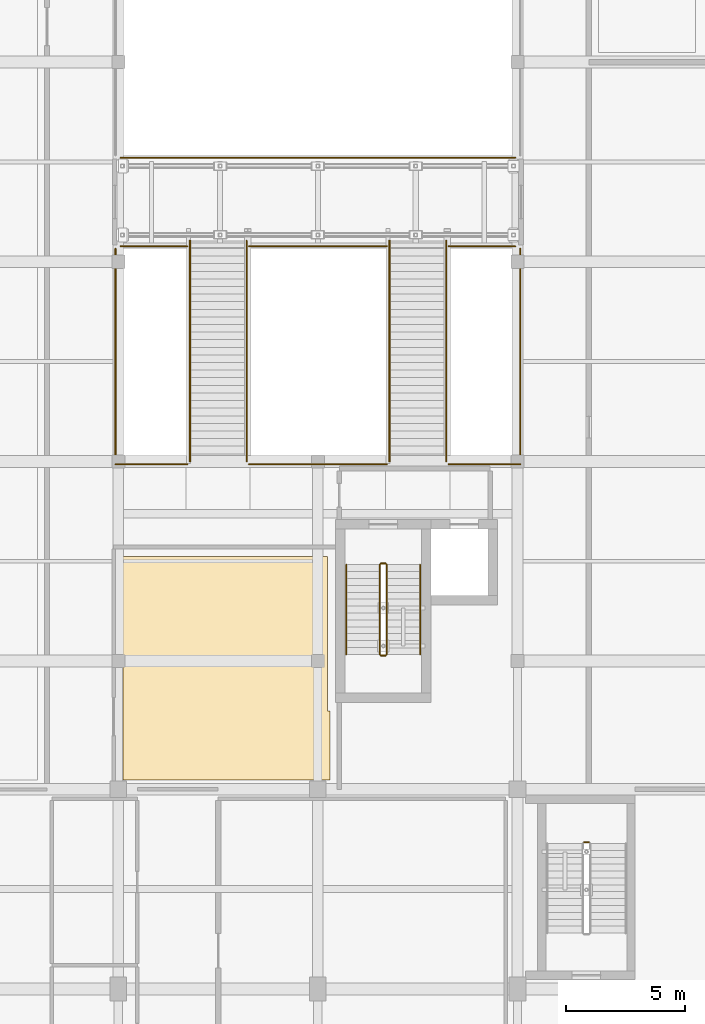
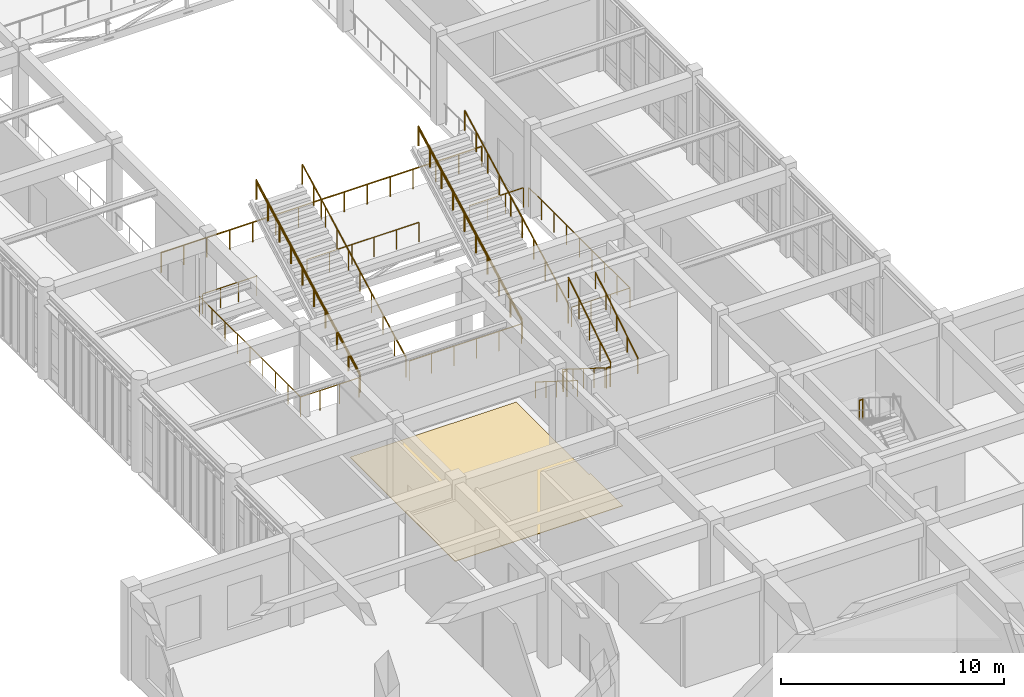
# One storey, part 102 of 106: 22 railings, 1 covering.
"""IFC4 building model written with IfcOpenShell, lengths in metres."""

from ifc_helpers import new_model, si_unit, direction, frame, origin, origin_2d, place, context, subcontext, project, spatial, polyline, circle, outline, extrude, material, layer, layer_set, type_object, element, save


model = new_model("IFC4")

# Units and contexts
model_context = context("Model", 3, precision=1e-05, world=origin(), true_north=direction((0.0, 1.0)))
body_context = subcontext(model_context, "Body", "Model", "MODEL_VIEW")
ifc_project = project(units=[si_unit("LENGTHUNIT", "METRE"), si_unit("AREAUNIT", "SQUARE_METRE"), si_unit("VOLUMEUNIT", "CUBIC_METRE"), si_unit("PLANEANGLEUNIT", "RADIAN"), si_unit("MASSUNIT", "GRAM", prefix="KILO")], contexts=[model_context])

# Site, building, storey
site_placement = place(None, origin())
site = spatial("IfcSite", under=ifc_project, at=site_placement, CompositionType="ELEMENT")
building_placement = place(site_placement, origin())
building = spatial("IfcBuilding", under=site, at=building_placement, Name="Krzemoval Escarpment Law Courts", CompositionType="ELEMENT")
storey_placement = place(building_placement, frame((0.0, 0.0, 5.10009765625)))
storey = spatial("IfcBuildingStorey", under=building, at=storey_placement, Name="L01", CompositionType="ELEMENT", Elevation=5.10009765625)

# Covering
ifc_material_1 = material(Name="Honed Silesian Granite Stone Flooring", Category="masonry")
ifc_layer = layer(ifc_material_1, 0.030029296875)
ifc_layer_set = layer_set([ifc_layer], Name="Honed Silesian Granite Stone Flooring")
covering_type = type_object("IfcCoveringType", Name="COV-FLR-STN30", PredefinedType="FLOORING", material=ifc_layer_set)
covering_placement = place(storey_placement, origin())
element("IfcCovering", 1, at=covering_placement, inside=storey, type_object=covering_type, Name="Stone Floor Finish FLR-L01-16", PredefinedType="FLOORING", context=body_context, shape_type="SweptSolid", body=[
    extrude(outline(polyline([(25.699951171875, 35.800048828125), (17.0, 35.800048828125), (17.0, 45.199951171875), (25.60009765625, 45.199951171875), (25.60009765625, 38.699951171875), (25.699951171875, 38.699951171875), (25.699951171875, 35.800048828125)])), origin(), (0.0, 0.0, 1.0), 0.02978515625),
])

# Railings
ifc_material_2 = material(Name="Stainless Steel Grade 316L and Laminated Safety Glass Guard", Category="steel")
railing_type_1 = type_object("IfcRailingType", Name="RL-BAL-1100", PredefinedType="BALUSTRADE", material=ifc_material_2)
railing_1_placement = place(storey_placement, frame((16.679931640625, 49.080078125, 0.0)))
element("IfcRailing", 2, at=railing_1_placement, inside=storey, type_object=railing_type_1, Name="Atrium Void Balustrade VG-L01-052", PredefinedType="BALUSTRADE", context=body_context, shape_type="SweptSolid", body=[
    extrude(circle(Radius=0.02392578125, at=origin_2d()), frame((0.0, 0.0, 1.076171875), z_axis=(1.0, 0.0, 0.0), x_axis=(0.0, 1.0, 0.0)), (0.0, 0.0, 1.0), 3.02001953125),
    extrude(circle(Radius=0.02099609375, at=origin_2d()), origin(), (0.0, 0.0, 1.0), 1.052001953125),
    extrude(circle(Radius=0.02099609375, at=origin_2d()), frame((1.006591796875, 0.0, 0.0)), (0.0, 0.0, 1.0), 1.052001953125),
    extrude(circle(Radius=0.02099609375, at=origin_2d()), frame((2.013427734375, 0.0, 0.0)), (0.0, 0.0, 1.0), 1.052001953125),
    extrude(circle(Radius=0.02099609375, at=origin_2d()), frame((3.02001953125, 0.0, 0.0)), (0.0, 0.0, 1.0), 1.052001953125),
])
railing_2_placement = place(storey_placement, frame((22.300048828125, 49.080078125, 0.0)))
element("IfcRailing", 3, at=railing_2_placement, inside=storey, type_object=railing_type_1, Name="Atrium Void Balustrade VG-L01-053", PredefinedType="BALUSTRADE", context=body_context, shape_type="SweptSolid", body=[
    extrude(circle(Radius=0.02392578125, at=origin_2d()), frame((0.0, 0.0, 1.076171875), z_axis=(1.0, 0.0, 0.0), x_axis=(0.0, 1.0, 0.0)), (0.0, 0.0, 1.0), 5.800048828125),
    extrude(circle(Radius=0.02099609375, at=origin_2d()), origin(), (0.0, 0.0, 1.0), 1.052001953125),
    extrude(circle(Radius=0.02099609375, at=origin_2d()), frame((1.159912109375, 0.0, 0.0)), (0.0, 0.0, 1.0), 1.052001953125),
    extrude(circle(Radius=0.02099609375, at=origin_2d()), frame((2.320068359375, 0.0, 0.0)), (0.0, 0.0, 1.0), 1.052001953125),
    extrude(circle(Radius=0.02099609375, at=origin_2d()), frame((3.47998046875, 0.0, 0.0)), (0.0, 0.0, 1.0), 1.052001953125),
    extrude(circle(Radius=0.02099609375, at=origin_2d()), frame((4.64013671875, 0.0, 0.0)), (0.0, 0.0, 1.0), 1.052001953125),
    extrude(circle(Radius=0.02099609375, at=origin_2d()), frame((5.800048828125, 0.0, 0.0)), (0.0, 0.0, 1.0), 1.052001953125),
])
railing_3_placement = place(storey_placement, frame((30.699951171875, 49.080078125, 0.0)))
element("IfcRailing", 4, at=railing_3_placement, inside=storey, type_object=railing_type_1, Name="Atrium Void Balustrade VG-L01-054", PredefinedType="BALUSTRADE", context=body_context, shape_type="SweptSolid", body=[
    extrude(circle(Radius=0.02392578125, at=origin_2d()), frame((0.0, 0.0, 1.076171875), z_axis=(1.0, 0.0, 0.0), x_axis=(0.0, 1.0, 0.0)), (0.0, 0.0, 1.0), 3.02001953125),
    extrude(circle(Radius=0.02099609375, at=origin_2d()), origin(), (0.0, 0.0, 1.0), 1.052001953125),
    extrude(circle(Radius=0.02099609375, at=origin_2d()), frame((1.006591796875, 0.0, 0.0)), (0.0, 0.0, 1.0), 1.052001953125),
    extrude(circle(Radius=0.02099609375, at=origin_2d()), frame((2.013427734375, 0.0, 0.0)), (0.0, 0.0, 1.0), 1.052001953125),
    extrude(circle(Radius=0.02099609375, at=origin_2d()), frame((3.02001953125, 0.0, 0.0)), (0.0, 0.0, 1.0), 1.052001953125),
])
for number, where, name in (
    (5, (16.679931640625, 49.080078125, 0.0), "Atrium Void Balustrade VG-L01-058"),
    (6, (33.719970703125, 49.080078125, 0.0), "Atrium Void Balustrade VG-L01-061"),
):
    element("IfcRailing", number, at=place(storey_placement, frame(where)), inside=storey, type_object=railing_type_1, Name=name, PredefinedType="BALUSTRADE", context=body_context, shape_type="SweptSolid", body=[
        extrude(circle(Radius=0.02392578125, at=origin_2d()), frame((0.0, 0.0, 1.076171875), z_axis=(0.0, 1.0, 0.0), x_axis=(-1.0, 0.0, 0.0)), (0.0, 0.0, 1.0), 9.06982421875),
        extrude(circle(Radius=0.02099609375, at=origin_2d()), origin(), (0.0, 0.0, 1.0), 1.052001953125),
        extrude(circle(Radius=0.02099609375, at=origin_2d()), frame((0.0, 1.1337890625, 0.0)), (0.0, 0.0, 1.0), 1.052001953125),
        extrude(circle(Radius=0.02099609375, at=origin_2d()), frame((0.0, 2.267578125, 0.0)), (0.0, 0.0, 1.0), 1.052001953125),
        extrude(circle(Radius=0.02099609375, at=origin_2d()), frame((0.0, 3.401123046875, 0.0)), (0.0, 0.0, 1.0), 1.052001953125),
        extrude(circle(Radius=0.02099609375, at=origin_2d()), frame((0.0, 4.534912109375, 0.0)), (0.0, 0.0, 1.0), 1.052001953125),
        extrude(circle(Radius=0.02099609375, at=origin_2d()), frame((0.0, 5.668701171875, 0.0)), (0.0, 0.0, 1.0), 1.052001953125),
        extrude(circle(Radius=0.02099609375, at=origin_2d()), frame((0.0, 6.80224609375, 0.0)), (0.0, 0.0, 1.0), 1.052001953125),
        extrude(circle(Radius=0.02099609375, at=origin_2d()), frame((0.0, 7.93603515625, 0.0)), (0.0, 0.0, 1.0), 1.052001953125),
        extrude(circle(Radius=0.02099609375, at=origin_2d()), frame((0.0, 9.06982421875, 0.0)), (0.0, 0.0, 1.0), 1.052001953125),
    ])
railing_4_placement = place(storey_placement, frame((16.89990234375, 58.25, 0.0)))
element("IfcRailing", 7, at=railing_4_placement, inside=storey, type_object=railing_type_1, Name="Sky-Bridge South Guardrail BG-L01-094", PredefinedType="BALUSTRADE", context=body_context, shape_type="SweptSolid", body=[
    extrude(circle(Radius=0.02392578125, at=origin_2d()), frame((0.0, 0.0, 1.076171875), z_axis=(1.0, 0.0, 0.0), x_axis=(0.0, 1.0, 0.0)), (0.0, 0.0, 1.0), 2.800048828125),
    extrude(circle(Radius=0.02099609375, at=origin_2d()), origin(), (0.0, 0.0, 1.0), 1.052001953125),
    extrude(circle(Radius=0.02099609375, at=origin_2d()), frame((0.933349609375, 0.0, 0.0)), (0.0, 0.0, 1.0), 1.052001953125),
    extrude(circle(Radius=0.02099609375, at=origin_2d()), frame((1.86669921875, 0.0, 0.0)), (0.0, 0.0, 1.0), 1.052001953125),
    extrude(circle(Radius=0.02099609375, at=origin_2d()), frame((2.800048828125, 0.0, 0.0)), (0.0, 0.0, 1.0), 1.052001953125),
])
railing_5_placement = place(storey_placement, frame((22.300048828125, 58.25, 0.0)))
element("IfcRailing", 8, at=railing_5_placement, inside=storey, type_object=railing_type_1, Name="Sky-Bridge South Guardrail BG-L01-095", PredefinedType="BALUSTRADE", context=body_context, shape_type="SweptSolid", body=[
    extrude(circle(Radius=0.02392578125, at=origin_2d()), frame((0.0, 0.0, 1.076171875), z_axis=(1.0, 0.0, 0.0), x_axis=(0.0, 1.0, 0.0)), (0.0, 0.0, 1.0), 5.800048828125),
    extrude(circle(Radius=0.02099609375, at=origin_2d()), origin(), (0.0, 0.0, 1.0), 1.052001953125),
    extrude(circle(Radius=0.02099609375, at=origin_2d()), frame((1.159912109375, 0.0, 0.0)), (0.0, 0.0, 1.0), 1.052001953125),
    extrude(circle(Radius=0.02099609375, at=origin_2d()), frame((2.320068359375, 0.0, 0.0)), (0.0, 0.0, 1.0), 1.052001953125),
    extrude(circle(Radius=0.02099609375, at=origin_2d()), frame((3.47998046875, 0.0, 0.0)), (0.0, 0.0, 1.0), 1.052001953125),
    extrude(circle(Radius=0.02099609375, at=origin_2d()), frame((4.64013671875, 0.0, 0.0)), (0.0, 0.0, 1.0), 1.052001953125),
    extrude(circle(Radius=0.02099609375, at=origin_2d()), frame((5.800048828125, 0.0, 0.0)), (0.0, 0.0, 1.0), 1.052001953125),
])
railing_6_placement = place(storey_placement, frame((30.699951171875, 58.25, 0.0)))
element("IfcRailing", 9, at=railing_6_placement, inside=storey, type_object=railing_type_1, Name="Sky-Bridge South Guardrail BG-L01-096", PredefinedType="BALUSTRADE", context=body_context, shape_type="SweptSolid", body=[
    extrude(circle(Radius=0.02392578125, at=origin_2d()), frame((0.0, 0.0, 1.076171875), z_axis=(1.0, 0.0, 0.0), x_axis=(0.0, 1.0, 0.0)), (0.0, 0.0, 1.0), 2.800048828125),
    extrude(circle(Radius=0.02099609375, at=origin_2d()), origin(), (0.0, 0.0, 1.0), 1.052001953125),
    extrude(circle(Radius=0.02099609375, at=origin_2d()), frame((0.933349609375, 0.0, 0.0)), (0.0, 0.0, 1.0), 1.052001953125),
    extrude(circle(Radius=0.02099609375, at=origin_2d()), frame((1.86669921875, 0.0, 0.0)), (0.0, 0.0, 1.0), 1.052001953125),
    extrude(circle(Radius=0.02099609375, at=origin_2d()), frame((2.800048828125, 0.0, 0.0)), (0.0, 0.0, 1.0), 1.052001953125),
])
railing_7_placement = place(storey_placement, frame((16.89990234375, 61.97998046875, 0.0)))
element("IfcRailing", 10, at=railing_7_placement, inside=storey, type_object=railing_type_1, Name="Sky-Bridge North Guardrail BG-L01-097", PredefinedType="BALUSTRADE", context=body_context, shape_type="SweptSolid", body=[
    extrude(circle(Radius=0.02392578125, at=origin_2d()), frame((0.0, 0.0, 1.076171875), z_axis=(1.0, 0.0, 0.0), x_axis=(0.0, 1.0, 0.0)), (0.0, 0.0, 1.0), 16.60009765625),
    extrude(circle(Radius=0.02099609375, at=origin_2d()), origin(), (0.0, 0.0, 1.0), 1.052001953125),
    extrude(circle(Radius=0.02099609375, at=origin_2d()), frame((1.185791015625, 0.0, 0.0)), (0.0, 0.0, 1.0), 1.052001953125),
    extrude(circle(Radius=0.02099609375, at=origin_2d()), frame((2.371337890625, 0.0, 0.0)), (0.0, 0.0, 1.0), 1.052001953125),
    extrude(circle(Radius=0.02099609375, at=origin_2d()), frame((3.55712890625, 0.0, 0.0)), (0.0, 0.0, 1.0), 1.052001953125),
    extrude(circle(Radius=0.02099609375, at=origin_2d()), frame((4.742919921875, 0.0, 0.0)), (0.0, 0.0, 1.0), 1.052001953125),
    extrude(circle(Radius=0.02099609375, at=origin_2d()), frame((5.9287109375, 0.0, 0.0)), (0.0, 0.0, 1.0), 1.052001953125),
    extrude(circle(Radius=0.02099609375, at=origin_2d()), frame((7.1142578125, 0.0, 0.0)), (0.0, 0.0, 1.0), 1.052001953125),
    extrude(circle(Radius=0.02099609375, at=origin_2d()), frame((8.300048828125, 0.0, 0.0)), (0.0, 0.0, 1.0), 1.052001953125),
    extrude(circle(Radius=0.02099609375, at=origin_2d()), frame((9.48583984375, 0.0, 0.0)), (0.0, 0.0, 1.0), 1.052001953125),
    extrude(circle(Radius=0.02099609375, at=origin_2d()), frame((10.67138671875, 0.0, 0.0)), (0.0, 0.0, 1.0), 1.052001953125),
    extrude(circle(Radius=0.02099609375, at=origin_2d()), frame((11.857177734375, 0.0, 0.0)), (0.0, 0.0, 1.0), 1.052001953125),
    extrude(circle(Radius=0.02099609375, at=origin_2d()), frame((13.04296875, 0.0, 0.0)), (0.0, 0.0, 1.0), 1.052001953125),
    extrude(circle(Radius=0.02099609375, at=origin_2d()), frame((14.228759765625, 0.0, 0.0)), (0.0, 0.0, 1.0), 1.052001953125),
    extrude(circle(Radius=0.02099609375, at=origin_2d()), frame((15.414306640625, 0.0, 0.0)), (0.0, 0.0, 1.0), 1.052001953125),
    extrude(circle(Radius=0.02099609375, at=origin_2d()), frame((16.60009765625, 0.0, 0.0)), (0.0, 0.0, 1.0), 1.052001953125),
])
for number, where, name in (
    (11, (19.800048828125, 49.199951171875, 0.169921875), "Feature Stair Guard ST7-L01 L"),
    (12, (22.199951171875, 49.199951171875, 0.169921875), "Feature Stair Guard ST7-L01 R"),
    (13, (28.199951171875, 49.199951171875, 0.169921875), "Feature Stair Guard ST8-L01 L"),
    (14, (30.60009765625, 49.199951171875, 0.169921875), "Feature Stair Guard ST8-L01 R"),
):
    element("IfcRailing", number, at=place(storey_placement, frame(where)), inside=storey, type_object=railing_type_1, Name=name, PredefinedType="BALUSTRADE", context=body_context, shape_type="SweptSolid", body=[
        extrude(circle(Radius=0.02392578125, at=origin_2d()), frame((0.0, 0.0, 1.076171875), z_axis=(0.0, 0.88311902836, 0.469148997387), x_axis=(-1.0, 0.0, 0.0)), (0.0, 0.0, 1.0), 10.50830078125),
        extrude(circle(Radius=0.02099609375, at=origin_2d()), origin(), (0.0, 0.0, 1.0), 1.052001953125),
        extrude(circle(Radius=0.02099609375, at=origin_2d()), frame((0.0, 1.031005859375, 0.5478515625)), (0.0, 0.0, 1.0), 1.052001953125),
        extrude(circle(Radius=0.02099609375, at=origin_2d()), frame((0.0, 2.062255859375, 1.095458984375)), (0.0, 0.0, 1.0), 1.052001953125),
        extrude(circle(Radius=0.02099609375, at=origin_2d()), frame((0.0, 3.09326171875, 1.643310546875)), (0.0, 0.0, 1.0), 1.052001953125),
        extrude(circle(Radius=0.02099609375, at=origin_2d()), frame((0.0, 4.12451171875, 2.191162109375)), (0.0, 0.0, 1.0), 1.052001953125),
        extrude(circle(Radius=0.02099609375, at=origin_2d()), frame((0.0, 5.155517578125, 2.73876953125)), (0.0, 0.0, 1.0), 1.052001953125),
        extrude(circle(Radius=0.02099609375, at=origin_2d()), frame((0.0, 6.186767578125, 3.28662109375)), (0.0, 0.0, 1.0), 1.052001953125),
        extrude(circle(Radius=0.02099609375, at=origin_2d()), frame((0.0, 7.2177734375, 3.83447265625)), (0.0, 0.0, 1.0), 1.052001953125),
        extrude(circle(Radius=0.02099609375, at=origin_2d()), frame((0.0, 8.2490234375, 4.382080078125)), (0.0, 0.0, 1.0), 1.052001953125),
        extrude(circle(Radius=0.02099609375, at=origin_2d()), frame((0.0, 9.280029296875, 4.929931640625)), (0.0, 0.0, 1.0), 1.052001953125),
    ])
ifc_material_3 = material(Name="Galvanised Steel S355", Category="steel")
railing_type_2 = type_object("IfcRailingType", Name="RL-GRD-1100", PredefinedType="GUARDRAIL", material=ifc_material_3)
railing_8_placement = place(storey_placement, frame((27.800048828125, 44.85009765625, 0.18212890625)))
element("IfcRailing", 15, at=railing_8_placement, inside=storey, type_object=railing_type_2, Name="L01 ST5 stair guard 1", PredefinedType="GUARDRAIL", context=body_context, shape_type="SweptSolid", body=[
    extrude(circle(Radius=0.02392578125, at=origin_2d()), frame((0.0, 0.0, 1.076171875), z_axis=(0.0, -0.846844037257, 0.531841307688), x_axis=(1.0, 0.0, 0.0)), (0.0, 0.0, 1.0), 4.451904296875),
    extrude(circle(Radius=0.02099609375, at=origin_2d()), origin(), (0.0, 0.0, 1.0), 1.052001953125),
    extrude(circle(Radius=0.02099609375, at=origin_2d()), frame((0.0, -0.9423828125, 0.591796875)), (0.0, 0.0, 1.0), 1.052001953125),
    extrude(circle(Radius=0.02099609375, at=origin_2d()), frame((0.0, -1.885009765625, 1.183837890625)), (0.0, 0.0, 1.0), 1.052001953125),
    extrude(circle(Radius=0.02099609375, at=origin_2d()), frame((0.0, -2.82763671875, 1.77587890625)), (0.0, 0.0, 1.0), 1.052001953125),
    extrude(circle(Radius=0.02099609375, at=origin_2d()), frame((0.0, -3.77001953125, 2.36767578125)), (0.0, 0.0, 1.0), 1.052001953125),
])
railing_9_placement = place(storey_placement, frame((27.85009765625, 41.030029296875, 2.5498046875)))
element("IfcRailing", 16, at=railing_9_placement, inside=storey, type_object=railing_type_2, Name="L01 ST5 stair guard 2", PredefinedType="GUARDRAIL", context=body_context, shape_type="SweptSolid", body=[
    extrude(circle(Radius=0.02392578125, at=origin_2d()), frame((0.0, 0.0, 1.076171875), z_axis=(1.0, 0.0, 0.0), x_axis=(0.0, 1.0, 0.0)), (0.0, 0.0, 1.0), 0.199951171875),
    extrude(circle(Radius=0.02099609375, at=origin_2d()), origin(), (0.0, 0.0, 1.0), 1.052001953125),
    extrude(circle(Radius=0.02099609375, at=origin_2d()), frame((0.199951171875, 0.0, 0.0)), (0.0, 0.0, 1.0), 1.052001953125),
])
railing_10_placement = place(storey_placement, frame((28.10009765625, 41.080078125, 2.73193359375)))
element("IfcRailing", 17, at=railing_10_placement, inside=storey, type_object=railing_type_2, Name="L01 ST5 stair guard 3", PredefinedType="GUARDRAIL", context=body_context, shape_type="SweptSolid", body=[
    extrude(circle(Radius=0.02392578125, at=origin_2d()), frame((0.0, 0.0, 1.076171875), z_axis=(0.0, 0.846819337722, 0.53188063441), x_axis=(-1.0, 0.0, 0.0)), (0.0, 0.0, 1.0), 4.451904296875),
    extrude(circle(Radius=0.02099609375, at=origin_2d()), origin(), (0.0, 0.0, 1.0), 1.052001953125),
    extrude(circle(Radius=0.02099609375, at=origin_2d()), frame((0.0, 0.9423828125, 0.592041015625)), (0.0, 0.0, 1.0), 1.052001953125),
    extrude(circle(Radius=0.02099609375, at=origin_2d()), frame((0.0, 1.885009765625, 1.18408203125)), (0.0, 0.0, 1.0), 1.052001953125),
    extrude(circle(Radius=0.02099609375, at=origin_2d()), frame((0.0, 2.82763671875, 1.77587890625)), (0.0, 0.0, 1.0), 1.052001953125),
    extrude(circle(Radius=0.02099609375, at=origin_2d()), frame((0.0, 3.77001953125, 2.367919921875)), (0.0, 0.0, 1.0), 1.052001953125),
])
railing_11_placement = place(storey_placement, frame((27.85009765625, 44.89990234375, 0.0)))
element("IfcRailing", 18, at=railing_11_placement, inside=storey, type_object=railing_type_2, Name="L01 ST5 stair guard 4", PredefinedType="GUARDRAIL", context=body_context, shape_type="SweptSolid", body=[
    extrude(circle(Radius=0.02392578125, at=origin_2d()), frame((0.0, 0.0, 1.076171875), z_axis=(1.0, 0.0, 0.0), x_axis=(0.0, 1.0, 0.0)), (0.0, 0.0, 1.0), 0.199951171875),
    extrude(circle(Radius=0.02099609375, at=origin_2d()), origin(), (0.0, 0.0, 1.0), 1.052001953125),
    extrude(circle(Radius=0.02099609375, at=origin_2d()), frame((0.199951171875, 0.0, 0.0)), (0.0, 0.0, 1.0), 1.052001953125),
])
railing_12_placement = place(storey_placement, frame((36.60009765625, 33.169921875, 2.5498046875)))
element("IfcRailing", 19, at=railing_12_placement, inside=storey, type_object=railing_type_2, Name="L01 ST9 stair guard 2", PredefinedType="GUARDRAIL", context=body_context, shape_type="SweptSolid", body=[
    extrude(circle(Radius=0.02392578125, at=origin_2d()), frame((0.0, 0.0, 1.076171875), z_axis=(-1.0, 0.0, 0.0), x_axis=(0.0, -1.0, 0.0)), (0.0, 0.0, 1.0), 0.2001953125),
    extrude(circle(Radius=0.02099609375, at=origin_2d()), origin(), (0.0, 0.0, 1.0), 1.052001953125),
    extrude(circle(Radius=0.02099609375, at=origin_2d()), frame((-0.2001953125, 0.0, 0.0)), (0.0, 0.0, 1.0), 1.052001953125),
])
ifc_material_4 = material(Name="Brushed Stainless Steel Grade 304 Handrail", Category="steel")
railing_type_3 = type_object("IfcRailingType", Name="RL-HND-900", PredefinedType="HANDRAIL", material=ifc_material_4)
railing_13_placement = place(storey_placement, frame((26.39990234375, 44.85009765625, 0.18212890625)))
element("IfcRailing", 20, at=railing_13_placement, inside=storey, type_object=railing_type_3, Name="L01 ST5 stair handrail 1", PredefinedType="HANDRAIL", context=body_context, shape_type="SweptSolid", body=[
    extrude(circle(Radius=0.02392578125, at=origin_2d()), frame((0.0, 0.0, 0.8759765625), z_axis=(0.0, -0.846844037257, 0.531841307688), x_axis=(1.0, 0.0, 0.0)), (0.0, 0.0, 1.0), 4.451904296875),
    extrude(circle(Radius=0.02099609375, at=origin_2d()), origin(), (0.0, 0.0, 1.0), 0.851806640625),
    extrude(circle(Radius=0.02099609375, at=origin_2d()), frame((0.0, -0.9423828125, 0.591796875)), (0.0, 0.0, 1.0), 0.851806640625),
    extrude(circle(Radius=0.02099609375, at=origin_2d()), frame((0.0, -1.885009765625, 1.183837890625)), (0.0, 0.0, 1.0), 0.851806640625),
    extrude(circle(Radius=0.02099609375, at=origin_2d()), frame((0.0, -2.82763671875, 1.77587890625)), (0.0, 0.0, 1.0), 0.851806640625),
    extrude(circle(Radius=0.02099609375, at=origin_2d()), frame((0.0, -3.77001953125, 2.36767578125)), (0.0, 0.0, 1.0), 0.851806640625),
])
railing_14_placement = place(storey_placement, frame((29.5, 41.080078125, 2.73193359375)))
element("IfcRailing", 21, at=railing_14_placement, inside=storey, type_object=railing_type_3, Name="L01 ST5 stair handrail 2", PredefinedType="HANDRAIL", context=body_context, shape_type="SweptSolid", body=[
    extrude(circle(Radius=0.02392578125, at=origin_2d()), frame((0.0, 0.0, 0.8759765625), z_axis=(0.0, 0.846819337722, 0.53188063441), x_axis=(-1.0, 0.0, 0.0)), (0.0, 0.0, 1.0), 4.451904296875),
    extrude(circle(Radius=0.02099609375, at=origin_2d()), origin(), (0.0, 0.0, 1.0), 0.851806640625),
    extrude(circle(Radius=0.02099609375, at=origin_2d()), frame((0.0, 0.9423828125, 0.592041015625)), (0.0, 0.0, 1.0), 0.851806640625),
    extrude(circle(Radius=0.02099609375, at=origin_2d()), frame((0.0, 1.885009765625, 1.18408203125)), (0.0, 0.0, 1.0), 0.851806640625),
    extrude(circle(Radius=0.02099609375, at=origin_2d()), frame((0.0, 2.82763671875, 1.77587890625)), (0.0, 0.0, 1.0), 0.851806640625),
    extrude(circle(Radius=0.02099609375, at=origin_2d()), frame((0.0, 3.77001953125, 2.367919921875)), (0.0, 0.0, 1.0), 0.851806640625),
])
for number, where, name in (
    (22, (19.830078125, 49.199951171875, 0.169921875), "Feature Stair Handrail ST7-L01"),
    (23, (28.22998046875, 49.199951171875, 0.169921875), "Feature Stair Handrail ST8-L01"),
):
    element("IfcRailing", number, at=place(storey_placement, frame(where)), inside=storey, type_object=railing_type_3, Name=name, PredefinedType="HANDRAIL", context=body_context, shape_type="SweptSolid", body=[
        extrude(circle(Radius=0.02392578125, at=origin_2d()), frame((0.0, 0.0, 0.8759765625), z_axis=(0.0, 0.88311902836, 0.469148997387), x_axis=(-1.0, 0.0, 0.0)), (0.0, 0.0, 1.0), 10.50830078125),
        extrude(circle(Radius=0.02099609375, at=origin_2d()), origin(), (0.0, 0.0, 1.0), 0.851806640625),
        extrude(circle(Radius=0.02099609375, at=origin_2d()), frame((0.0, 1.031005859375, 0.5478515625)), (0.0, 0.0, 1.0), 0.851806640625),
        extrude(circle(Radius=0.02099609375, at=origin_2d()), frame((0.0, 2.062255859375, 1.095458984375)), (0.0, 0.0, 1.0), 0.851806640625),
        extrude(circle(Radius=0.02099609375, at=origin_2d()), frame((0.0, 3.09326171875, 1.643310546875)), (0.0, 0.0, 1.0), 0.851806640625),
        extrude(circle(Radius=0.02099609375, at=origin_2d()), frame((0.0, 4.12451171875, 2.191162109375)), (0.0, 0.0, 1.0), 0.851806640625),
        extrude(circle(Radius=0.02099609375, at=origin_2d()), frame((0.0, 5.155517578125, 2.73876953125)), (0.0, 0.0, 1.0), 0.851806640625),
        extrude(circle(Radius=0.02099609375, at=origin_2d()), frame((0.0, 6.186767578125, 3.28662109375)), (0.0, 0.0, 1.0), 0.851806640625),
        extrude(circle(Radius=0.02099609375, at=origin_2d()), frame((0.0, 7.2177734375, 3.83447265625)), (0.0, 0.0, 1.0), 0.851806640625),
        extrude(circle(Radius=0.02099609375, at=origin_2d()), frame((0.0, 8.2490234375, 4.382080078125)), (0.0, 0.0, 1.0), 0.851806640625),
        extrude(circle(Radius=0.02099609375, at=origin_2d()), frame((0.0, 9.280029296875, 4.929931640625)), (0.0, 0.0, 1.0), 0.851806640625),
    ])

save(model, "model.ifc")
